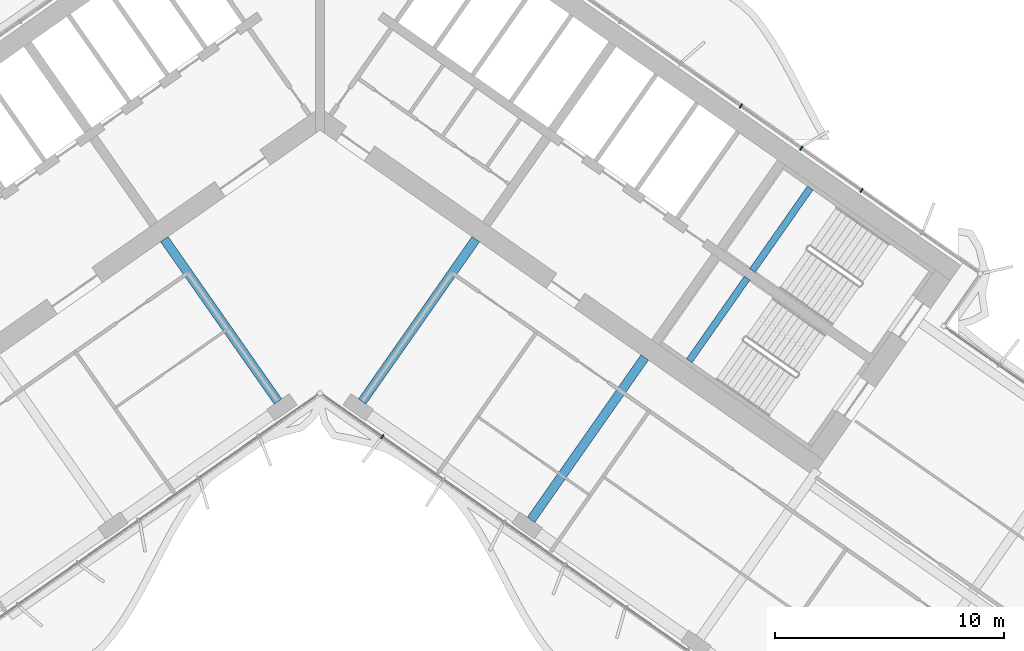
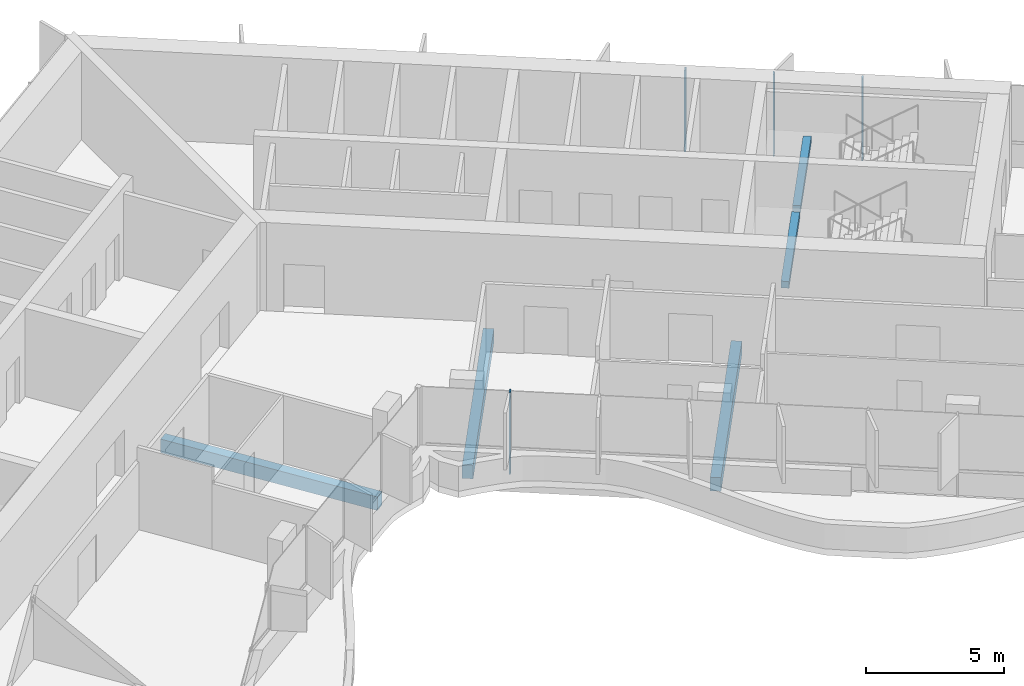
# One storey, part 7 of 23: 5 beams, 4 members, 2 elements without a shape of their own.
"""IFC4 building model written with IfcOpenShell, lengths in metres."""

import ifcopenshell
import ifcopenshell.guid

model = None  # the IFC model being written
_history = None  # IfcOwnerHistory: only IFC2X3 demands one
_inside = {}  # id of a spatial element -> (the spatial element, [elements in it])
_under = {}  # id of a project, library or spatial element -> (it, [spatial elements below it])
_declared = {}  # id of a project -> (the project, [libraries it declares])
_typed = {}  # id of a type object -> (the type object, [elements of that type])
_made_of = {}  # id of a material, layer set ... -> (it, [elements and type objects made of it])


def new_model(schema):
    """Start an empty IFC model of exactly this schema.

    Asked for "IFC4X3", IfcOpenShell would pick the latest addendum, in which some entities
    have other attributes; the version numbers below select the first issue.
    IFC2X3 requires an IfcOwnerHistory on every rooted entity: one is made here for all.
    """
    global model, _history
    if schema == "IFC4X3":
        model = ifcopenshell.file(schema_version=(4, 3, 0, 0))
    else:
        model = ifcopenshell.file(schema=schema)
    _inside.clear()
    _under.clear()
    _declared.clear()
    _typed.clear()
    _made_of.clear()
    _history = None
    if model.schema == "IFC2X3":
        org = make("IfcOrganization", Name="unknown")
        user = make(
            "IfcPersonAndOrganization",
            ThePerson=make("IfcPerson", FamilyName="unknown"),
            TheOrganization=org,
        )
        app = make(
            "IfcApplication",
            ApplicationDeveloper=org,
            Version="unknown",
            ApplicationFullName="unknown",
            ApplicationIdentifier="unknown",
        )
        _history = make(
            "IfcOwnerHistory",
            OwningUser=user,
            OwningApplication=app,
            ChangeAction="ADDED",
            CreationDate=0,
        )
    return model


def make(cls, **values):
    """One entity of the class cls with the attributes given. An attribute that is None is left unset."""
    return model.create_entity(
        cls, **{name: value for name, value in values.items() if value is not None}
    )


def rooted(cls, **values):
    """An entity with a GlobalId (a new one), such as an element, a storey or a relation."""
    return make(cls, GlobalId=ifcopenshell.guid.new(), OwnerHistory=_history, **values)


def si_unit(unit_type, name, prefix=None):
    """IfcSIUnit, for example si_unit("LENGTHUNIT", "METRE", prefix="MILLI")."""
    return make("IfcSIUnit", UnitType=unit_type, Prefix=prefix, Name=name)


def assignment(units):
    """IfcUnitAssignment: the units of a project."""
    return None if units is None else make("IfcUnitAssignment", Units=units)


def point(xyz):
    """IfcCartesianPoint."""
    return None if xyz is None else make("IfcCartesianPoint", Coordinates=xyz)


def direction(xyz):
    """IfcDirection."""
    return None if xyz is None else make("IfcDirection", DirectionRatios=xyz)


def frame(location, z_axis=None, x_axis=None):
    """IfcAxis2Placement3D, a coordinate frame: its origin and axes. An axis left out is left unset."""
    return make(
        "IfcAxis2Placement3D",
        Location=point(location),
        Axis=direction(z_axis),
        RefDirection=direction(x_axis),
    )


def frame_2d(location, x_axis=None):
    """IfcAxis2Placement2D, a coordinate frame in the plane: its origin and x axis."""
    return make(
        "IfcAxis2Placement2D", Location=point(location), RefDirection=direction(x_axis)
    )


def origin():
    """The frame at (0, 0, 0) with its axes left unset."""
    return frame((0.0, 0.0, 0.0))


def origin_2d():
    """The frame at (0, 0) in the plane with its x axis left unset."""
    return frame_2d((0.0, 0.0))


def place(relative_to, where):
    """IfcLocalPlacement: puts the frame where relative to a parent placement (None: the world)."""
    return make(
        "IfcLocalPlacement", PlacementRelTo=relative_to, RelativePlacement=where
    )


def context(
    kind, dimensions, precision=None, world=None, true_north=None, identifier=None
):
    """IfcGeometricRepresentationContext, for example the 3D "Model" context."""
    return make(
        "IfcGeometricRepresentationContext",
        ContextIdentifier=identifier,
        ContextType=kind,
        CoordinateSpaceDimension=dimensions,
        Precision=precision,
        WorldCoordinateSystem=world,
        TrueNorth=true_north,
    )


def subcontext(parent, identifier, kind, view, scale=None):
    """IfcGeometricRepresentationSubContext, for example "Body" below "Model"."""
    return make(
        "IfcGeometricRepresentationSubContext",
        ContextIdentifier=identifier,
        ContextType=kind,
        ParentContext=parent,
        TargetScale=scale,
        TargetView=view,
    )


def project(units=None, contexts=None):
    """IfcProject with its units and contexts."""
    return rooted(
        "IfcProject",
        Name="project",
        RepresentationContexts=contexts,
        UnitsInContext=assignment(units),
    )


def spatial(cls, under=None, at=None, **own):
    """A site, building, storey or space (cls), placed at a placement, below another one or the project."""
    s = rooted(cls, ObjectPlacement=at, **own)
    if under is not None:
        _under.setdefault(under.id(), (under, []))[1].append(s)
    return s


def profile(cls, at=None, kind="AREA", **sizes):
    """A parametric profile (cls). Its sizes go by their IFC names, for example OverallWidth=200.0."""
    return make(cls, ProfileType=kind, Position=at, **sizes)


def rectangle(**sizes):
    """IfcRectangleProfileDef."""
    return profile("IfcRectangleProfileDef", **sizes)


def extrude(swept, where, along, depth):
    """IfcExtrudedAreaSolid: the profile swept, set in the frame where, extruded along a direction by depth."""
    return make(
        "IfcExtrudedAreaSolid",
        SweptArea=swept,
        Position=where,
        ExtrudedDirection=direction(along),
        Depth=depth,
    )


def shape(context_of_items, identifier, shape_type, items):
    """IfcShapeRepresentation: the items that make up one representation, for example the "Body"."""
    return make(
        "IfcShapeRepresentation",
        ContextOfItems=context_of_items,
        RepresentationIdentifier=identifier,
        RepresentationType=shape_type,
        Items=items,
    )


def material(Name=None, Category=None):
    """IfcMaterial."""
    return make("IfcMaterial", Name=Name, Category=Category)


def material_profile(
    of_material, cross_section, Name=None, Category=None, Priority=None
):
    """IfcMaterialProfile: a cross section and its material."""
    return make(
        "IfcMaterialProfile",
        Name=Name,
        Material=of_material,
        Profile=cross_section,
        Priority=Priority,
        Category=Category,
    )


def profile_set(profiles, Name=None, composite=None):
    """IfcMaterialProfileSet."""
    return make(
        "IfcMaterialProfileSet",
        Name=Name,
        MaterialProfiles=profiles,
        CompositeProfile=composite,
    )


def made_of(thing, what):
    """Note that an element or type object is made of a material, layer set ...; save() writes the relation."""
    if what is not None:
        _made_of.setdefault(what.id(), (what, []))[1].append(thing)
    return thing


def type_object(cls, material=None, **own):
    """A type object (cls), such as IfcWallType, which elements share."""
    return made_of(rooted(cls, **own), material)


def element(
    cls,
    number,
    at=None,
    inside=None,
    cuts=None,
    type_object=None,
    material=None,
    context=None,
    identifier="Body",
    shape_type=None,
    held_by="IfcProductDefinitionShape",
    body=None,
    shapes=None,
    **own,
):
    """One element of the class cls, such as IfcWall. Its Tag is "e" and its number.

    at: its placement. inside: the storey or other place that contains it. cuts: it is an
    opening in that element (IfcRelVoidsElement). A single representation is given by context,
    identifier, shape_type and body (its items); several are given by shapes. held_by: the class
    of the entity that holds the representations. save() writes the other relations.
    """
    e = rooted(cls, Tag="e%d" % number, ObjectPlacement=at, **own)
    if body is not None:
        shapes = [shape(context, identifier, shape_type, body)]
    if shapes is not None:
        e.Representation = make(held_by, Representations=shapes)
    if inside is not None:
        _inside.setdefault(inside.id(), (inside, []))[1].append(e)
    if cuts is not None:
        rooted(
            "IfcRelVoidsElement", RelatingBuildingElement=cuts, RelatedOpeningElement=e
        )
    if type_object is not None:
        _typed.setdefault(type_object.id(), (type_object, []))[1].append(e)
    return made_of(e, material)


def aggregate(whole, parts):
    """IfcRelAggregates: a whole, such as a stair, and the parts it consists of."""
    return rooted("IfcRelAggregates", RelatingObject=whole, RelatedObjects=parts)


def save(model, path):
    """Write the relations noted so far, then the file.

    IfcRelAggregates (storeys below a building ...), IfcRelContainedInSpatialStructure (elements
    in a storey), IfcRelDefinesByType, IfcRelAssociatesMaterial and IfcRelDeclares: one each for
    every whole, place, type object, material and project.
    """
    for whole, parts in _under.values():
        aggregate(whole, parts)
    for where, things in _inside.values():
        rooted(
            "IfcRelContainedInSpatialStructure",
            RelatedElements=things,
            RelatingStructure=where,
        )
    for kind, things in _typed.values():
        rooted("IfcRelDefinesByType", RelatedObjects=things, RelatingType=kind)
    for what, things in _made_of.values():
        rooted("IfcRelAssociatesMaterial", RelatedObjects=things, RelatingMaterial=what)
    for by, libraries in _declared.values():
        rooted("IfcRelDeclares", RelatingContext=by, RelatedDefinitions=libraries)
    model.write(path)


model = new_model("IFC4")

# Units and contexts
model_context = context("Model", 3, precision=1e-05, world=origin(), true_north=direction((0.0, 1.0)))
body_context = subcontext(model_context, "Body", "Model", "MODEL_VIEW")
ifc_project = project(units=[si_unit("LENGTHUNIT", "METRE"), si_unit("AREAUNIT", "SQUARE_METRE"), si_unit("VOLUMEUNIT", "CUBIC_METRE"), si_unit("PLANEANGLEUNIT", "RADIAN"), si_unit("MASSUNIT", "GRAM", prefix="KILO")], contexts=[model_context])

# Site, building, storey
site_placement = place(None, origin())
site = spatial("IfcSite", under=ifc_project, at=site_placement, CompositionType="ELEMENT")
building_placement = place(site_placement, origin())
building = spatial("IfcBuilding", under=site, at=building_placement, Name="Tel Ilan Convention Tower", CompositionType="ELEMENT")
storey_placement = place(building_placement, frame((0.0, 0.0, 198.300048828125)))
storey = spatial("IfcBuildingStorey", under=building, at=storey_placement, Name="L46", CompositionType="ELEMENT", Elevation=198.300048828125)

# Beams
ifc_material_1 = material(Name="Concrete C40/50", Category="concrete")
ifc_material_profile_1 = material_profile(ifc_material_1, rectangle(XDim=0.39990234375, YDim=0.60009765625, at=origin_2d()), Name="RC 400x600")
ifc_profile_set_1 = profile_set([ifc_material_profile_1], Name="Concrete C40/50")
beam_type_1 = type_object("IfcBeamType", Name="Beam RC 400x600 Concrete C40/50", PredefinedType="BEAM", material=ifc_profile_set_1)
for number, where, z_axis, x_axis, name in (
    (1, (-1.83740234375, -13.06689453125, -0.580078125), (-0.573574099654, 0.819153680457, 0.0), (-0.819153680457, -0.573574099654, 0.0), "L46 beam W-W-F1-core"),
    (2, (1.83740234375, -13.06689453125, -0.580078125), (0.573574099654, 0.819153680457, 0.0), (-0.819153680457, 0.573574099654, 0.0), "L46 beam E-E-F1-core"),
    (3, (9.209716796875, -18.229248046875, -0.580078125), (0.573574099654, 0.819153680457, 0.0), (-0.819153680457, 0.573574099654, 0.0), "L46 beam E-E-F2-core"),
):
    element("IfcBeam", number, at=place(storey_placement, frame(where, z_axis=z_axis, x_axis=x_axis)), inside=storey, type_object=beam_type_1, Name=name, PredefinedType="BEAM", context=body_context, shape_type="SweptSolid", body=[
        extrude(rectangle(XDim=0.39990234375, YDim=0.60009765625, at=origin_2d()), origin(), (0.0, 0.0, 1.0), 8.64990234375),
    ])

# Curtain wall, members
ifc_material_2 = material(Name="Aluminium, bronze anodised", Category="aluminium")
curtain_wall_type_1 = type_object("IfcCurtainWallType", Name="CW2 STICK CURTAIN WALL, SPANDREL PANELS", PredefinedType="NOTDEFINED", material=ifc_material_2)
curtain_wall_1_placement = place(storey_placement, origin())
curtain_wall_1 = element("IfcCurtainWall", 4, at=curtain_wall_1_placement, inside=storey, type_object=curtain_wall_type_1, Name="Curtain wall CW2-36.01", PredefinedType="NOTDEFINED")
ifc_material_3 = material(Name="Aluminium, bronze anodised", Category="aluminium")
ifc_material_profile_2 = material_profile(ifc_material_3, rectangle(XDim=0.06005859375, YDim=0.199951171875, at=origin_2d()), Name="CW MULLION 60x200")
ifc_profile_set_2 = profile_set([ifc_material_profile_2], Name="Aluminium, bronze anodised")
member_type = type_object("IfcMemberType", Name="CW MULLION 60x200", PredefinedType="MULLION", material=ifc_profile_set_2)
member_1_placement = place(storey_placement, frame((23.63623046875, -3.854248046875, 0.0), z_axis=(0.0, 0.0, 1.0), x_axis=(-0.819152044289, 0.573576436351, 0.0)))
member_1 = element("IfcMember", 5, at=member_1_placement, type_object=member_type, Name="Mullion", PredefinedType="MULLION", context=body_context, shape_type="SweptSolid", body=[
    extrude(rectangle(XDim=0.06005859375, YDim=0.199951171875, at=origin_2d()), origin(), (0.0, 0.0, 1.0), 3.619873046875),
])
member_2_placement = place(storey_placement, frame((21.003662109375, -2.0107421875, 0.0), z_axis=(0.0, 0.0, 1.0), x_axis=(-0.819152044289, 0.573576436351, 0.0)))
member_2 = element("IfcMember", 6, at=member_2_placement, type_object=member_type, Name="Mullion", PredefinedType="MULLION", context=body_context, shape_type="SweptSolid", body=[
    extrude(rectangle(XDim=0.06005859375, YDim=0.199951171875, at=origin_2d()), origin(), (0.0, 0.0, 1.0), 3.619873046875),
])
member_3_placement = place(storey_placement, frame((18.37109375, -0.16748046875, 0.0), z_axis=(0.0, 0.0, 1.0), x_axis=(-0.819152044289, 0.573576436351, 0.0)))
member_3 = element("IfcMember", 7, at=member_3_placement, type_object=member_type, Name="Mullion", PredefinedType="MULLION", context=body_context, shape_type="SweptSolid", body=[
    extrude(rectangle(XDim=0.06005859375, YDim=0.199951171875, at=origin_2d()), origin(), (0.0, 0.0, 1.0), 3.619873046875),
])
aggregate(curtain_wall_1, [member_1, member_2, member_3])

# Curtain wall, member
ifc_material_4 = material(Name="Aluminium, bronze anodised", Category="aluminium")
curtain_wall_type_2 = type_object("IfcCurtainWallType", Name="CW4 STICK CURTAIN WALL, OFFICE TINTED GLASS", PredefinedType="NOTDEFINED", material=ifc_material_4)
curtain_wall_2_placement = place(storey_placement, origin())
curtain_wall_2 = element("IfcCurtainWall", 8, at=curtain_wall_2_placement, inside=storey, type_object=curtain_wall_type_2, Name="Curtain wall CW4-36.02", PredefinedType="NOTDEFINED")
member_4_placement = place(storey_placement, frame((2.719482421875, -14.60009765625, 0.0), z_axis=(0.0, 0.0, 1.0), x_axis=(0.819152044289, -0.573576436351, 0.0)))
member_4 = element("IfcMember", 9, at=member_4_placement, type_object=member_type, Name="Mullion", PredefinedType="MULLION", context=body_context, shape_type="SweptSolid", body=[
    extrude(rectangle(XDim=0.06005859375, YDim=0.199951171875, at=origin_2d()), origin(), (0.0, 0.0, 1.0), 3.619873046875),
])
aggregate(curtain_wall_2, [member_4])

# Beams
ifc_material_5 = material(Name="Concrete C40/50", Category="concrete")
ifc_material_profile_3 = material_profile(ifc_material_5, rectangle(XDim=0.300048828125, YDim=0.300048828125, at=origin_2d()), Name="RC 300x300")
ifc_profile_set_3 = profile_set([ifc_material_profile_3], Name="Concrete C40/50")
beam_type_2 = type_object("IfcBeamType", Name="Landing Beam RC 300x300 Concrete C40/50", PredefinedType="BEAM", material=ifc_profile_set_3)
beam_1_placement = place(storey_placement, frame((21.39404296875, -3.7490234375, 1.599853515625), z_axis=(-0.57354426506, -0.819174569928, 0.0), x_axis=(0.819174569928, -0.57354426506, 0.0)))
element("IfcBeam", 10, at=beam_1_placement, inside=storey, type_object=beam_type_2, Name="S3 landing beam L46.1", PredefinedType="BEAM", context=body_context, shape_type="SweptSolid", body=[
    extrude(rectangle(XDim=0.300048828125, YDim=0.300048828125, at=origin_2d()), origin(), (0.0, 0.0, 1.0), 4.400146484375),
])
beam_2_placement = place(storey_placement, frame((18.640869140625, -7.68115234375, 1.599853515625), z_axis=(-0.573570334442, -0.819156316858, 0.0), x_axis=(0.819156316858, -0.573570334442, 0.0)))
element("IfcBeam", 11, at=beam_2_placement, inside=storey, type_object=beam_type_2, Name="S4 landing beam L46.1", PredefinedType="BEAM", context=body_context, shape_type="SweptSolid", body=[
    extrude(rectangle(XDim=0.300048828125, YDim=0.300048828125, at=origin_2d()), origin(), (0.0, 0.0, 1.0), 4.39990234375),
])

save(model, "model.ifc")
